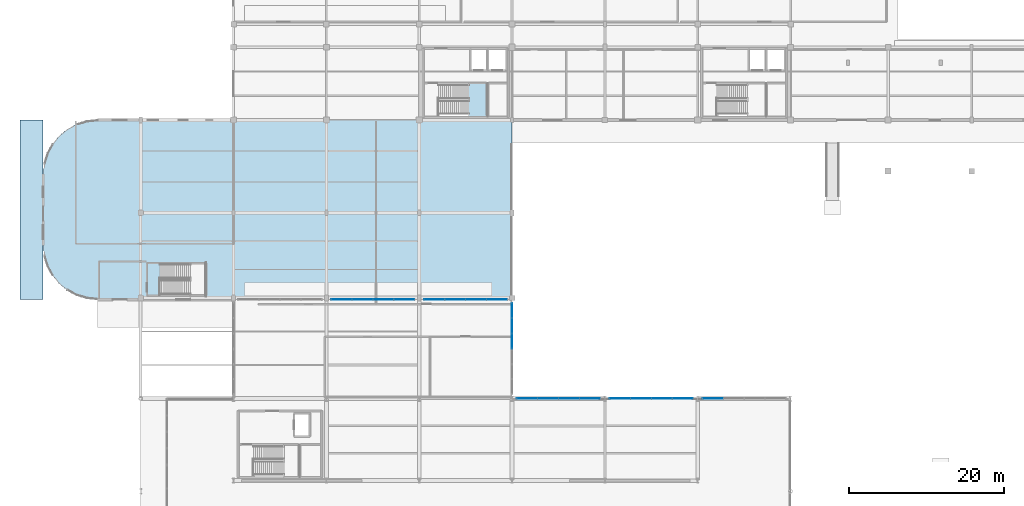
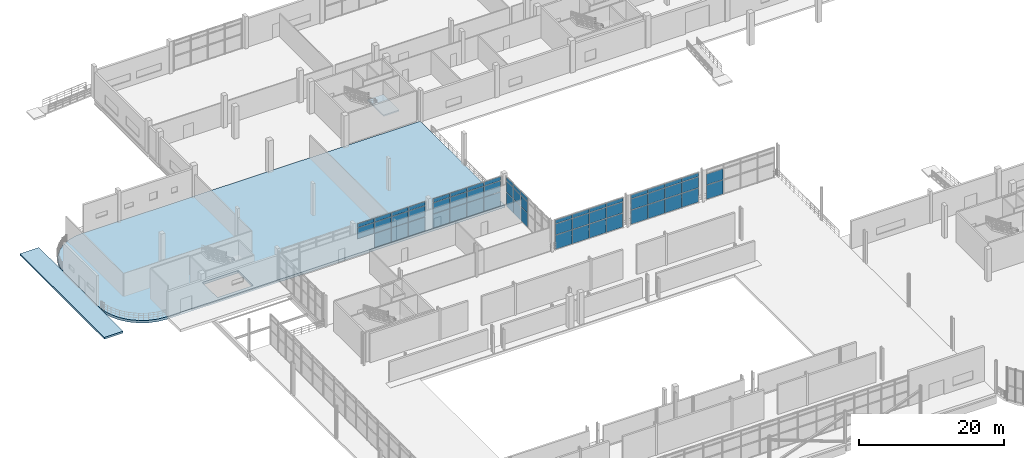
# One storey, part 50 of 85: 58 plates, 3 slabs, 7 elements without a shape of their own.
"""IFC4 building model written with IfcOpenShell, lengths in metres."""

from ifc_helpers import new_model, si_unit, direction, frame, origin, origin_2d, place, context, subcontext, project, spatial, polyline, rectangle, outline, extrude, material, layer, layer_set, type_object, element, aggregate, save


model = new_model("IFC4")

# Units and contexts
model_context = context("Model", 3, precision=1e-05, world=origin(), true_north=direction((0.0, 1.0)))
body_context = subcontext(model_context, "Body", "Model", "MODEL_VIEW")
ifc_project = project(units=[si_unit("LENGTHUNIT", "METRE"), si_unit("AREAUNIT", "SQUARE_METRE"), si_unit("VOLUMEUNIT", "CUBIC_METRE"), si_unit("PLANEANGLEUNIT", "RADIAN"), si_unit("MASSUNIT", "GRAM", prefix="KILO"), si_unit("THERMODYNAMICTEMPERATUREUNIT", "KELVIN"), si_unit("POWERUNIT", "WATT")], contexts=[model_context])

# Site, building, storey
site_placement = place(None, origin())
site = spatial("IfcSite", under=ifc_project, at=site_placement, CompositionType="ELEMENT")
building_placement = place(site_placement, origin())
building = spatial("IfcBuilding", under=site, at=building_placement, Name="Solmara Park Aquatics Centre", CompositionType="ELEMENT")
storey_placement = place(building_placement, origin())
storey = spatial("IfcBuildingStorey", under=building, at=storey_placement, Name="L00", CompositionType="ELEMENT", Elevation=0.0)

# Curtain wall, plates
ifc_material_1 = material(Name="Anodised Aluminium Curtain Wall Framing", Category="aluminium")
curtain_wall_type = type_object("IfcCurtainWallType", Name="ARC-CW-SYS02", PredefinedType="USERDEFINED", material=ifc_material_1)
curtain_wall_1_placement = place(storey_placement, origin())
curtain_wall_1 = element("IfcCurtainWall", 1, at=curtain_wall_1_placement, inside=storey, type_object=curtain_wall_type, Name="Curtain Wall CW-100", ObjectType="CURTAIN WALL", PredefinedType="USERDEFINED")
ifc_material_2 = material(Name="Double Low-E Solar-Control Glazing", Category="glass")
ifc_layer_1 = layer(ifc_material_2, 0.035888671875, Name="Double Low-E Solar-Control Glazing")
ifc_layer_set_1 = layer_set([ifc_layer_1], Name="Double Low-E Solar-Control Glazing")
plate_type_1 = type_object("IfcPlateType", Name="ARC-CWP-GLZ36-1900x1800", PredefinedType="CURTAIN_PANEL", material=ifc_layer_set_1)
plate_1_placement = place(storey_placement, frame((60.60009765625, 80.013427734375, 2.48974609375), z_axis=(0.0, 0.0, 1.0), x_axis=(0.0, 1.0, 0.0)))
plate_1 = element("IfcPlate", 2, at=plate_1_placement, type_object=plate_type_1, Name="CW-100 panel 2", PredefinedType="CURTAIN_PANEL", context=body_context, shape_type="SweptSolid", body=[
    extrude(rectangle(XDim=1.90673828125, YDim=0.035888671875, at=origin_2d()), origin(), (0.0, 0.0, 1.0), 1.800048828125),
])
plate_2_placement = place(storey_placement, frame((60.60009765625, 82.0, 2.48974609375), z_axis=(0.0, 0.0, 1.0), x_axis=(0.0, 1.0, 0.0)))
plate_2 = element("IfcPlate", 3, at=plate_2_placement, type_object=plate_type_1, Name="CW-100 panel 5", PredefinedType="CURTAIN_PANEL", context=body_context, shape_type="SweptSolid", body=[
    extrude(rectangle(XDim=1.906494140625, YDim=0.035888671875, at=origin_2d()), origin(), (0.0, 0.0, 1.0), 1.800048828125),
])
plate_3_placement = place(storey_placement, frame((60.60009765625, 83.986572265625, 2.48974609375), z_axis=(0.0, 0.0, 1.0), x_axis=(0.0, 1.0, 0.0)))
plate_3 = element("IfcPlate", 4, at=plate_3_placement, type_object=plate_type_1, Name="CW-100 panel 8", PredefinedType="CURTAIN_PANEL", context=body_context, shape_type="SweptSolid", body=[
    extrude(rectangle(XDim=1.90673828125, YDim=0.035888671875, at=origin_2d()), origin(), (0.0, 0.0, 1.0), 1.800048828125),
])
ifc_layer_2 = layer(ifc_material_2, 0.035888671875, Name="Double Low-E Solar-Control Glazing")
ifc_layer_set_2 = layer_set([ifc_layer_2], Name="Double Low-E Solar-Control Glazing")
plate_type_2 = type_object("IfcPlateType", Name="ARC-CWP-GLZ36-1900x2320", PredefinedType="CURTAIN_PANEL", material=ifc_layer_set_2)
plate_4_placement = place(storey_placement, frame((60.60009765625, 80.013427734375, 0.080078125), z_axis=(0.0, 0.0, 1.0), x_axis=(0.0, 1.0, 0.0)))
plate_4 = element("IfcPlate", 5, at=plate_4_placement, type_object=plate_type_2, Name="CW-100 panel 1", PredefinedType="CURTAIN_PANEL", context=body_context, shape_type="SweptSolid", body=[
    extrude(rectangle(XDim=1.90673828125, YDim=0.035888671875, at=origin_2d()), origin(), (0.0, 0.0, 1.0), 2.330078125),
])
plate_5_placement = place(storey_placement, frame((60.60009765625, 82.0, 0.080078125), z_axis=(0.0, 0.0, 1.0), x_axis=(0.0, 1.0, 0.0)))
plate_5 = element("IfcPlate", 6, at=plate_5_placement, type_object=plate_type_2, Name="CW-100 panel 4", PredefinedType="CURTAIN_PANEL", context=body_context, shape_type="SweptSolid", body=[
    extrude(rectangle(XDim=1.906494140625, YDim=0.035888671875, at=origin_2d()), origin(), (0.0, 0.0, 1.0), 2.330078125),
])
plate_6_placement = place(storey_placement, frame((60.60009765625, 83.986572265625, 0.080078125), z_axis=(0.0, 0.0, 1.0), x_axis=(0.0, 1.0, 0.0)))
plate_6 = element("IfcPlate", 7, at=plate_6_placement, type_object=plate_type_2, Name="CW-100 panel 7", PredefinedType="CURTAIN_PANEL", context=body_context, shape_type="SweptSolid", body=[
    extrude(rectangle(XDim=1.90673828125, YDim=0.035888671875, at=origin_2d()), origin(), (0.0, 0.0, 1.0), 2.330078125),
])

curtain_wall_2_placement = place(storey_placement, origin())
curtain_wall_2 = element("IfcCurtainWall", 8, at=curtain_wall_2_placement, inside=storey, type_object=curtain_wall_type, Name="Curtain Wall CW-021", ObjectType="CURTAIN WALL", PredefinedType="USERDEFINED")
ifc_layer_3 = layer(ifc_material_2, 0.035888671875, Name="Double Low-E Solar-Control Glazing")
ifc_layer_set_3 = layer_set([ifc_layer_3], Name="Double Low-E Solar-Control Glazing")
plate_type_3 = type_object("IfcPlateType", Name="ARC-CWP-GLZ36-2620x1800", PredefinedType="CURTAIN_PANEL", material=ifc_layer_set_3)
plate_7_placement = place(storey_placement, frame((62.530029296875, 72.60009765625, 2.48974609375), z_axis=(0.0, 0.0, 1.0), x_axis=(1.0, 0.0, 0.0)))
plate_7 = element("IfcPlate", 9, at=plate_7_placement, type_object=plate_type_3, Name="CW-021 panel 2", PredefinedType="CURTAIN_PANEL", context=body_context, shape_type="SweptSolid", body=[
    extrude(rectangle(XDim=2.6201171875, YDim=0.035888671875, at=origin_2d()), origin(), (0.0, 0.0, 1.0), 1.800048828125),
])
plate_8_placement = place(storey_placement, frame((65.22998046875, 72.60009765625, 2.48974609375), z_axis=(0.0, 0.0, 1.0), x_axis=(1.0, 0.0, 0.0)))
plate_8 = element("IfcPlate", 10, at=plate_8_placement, type_object=plate_type_3, Name="CW-021 panel 5", PredefinedType="CURTAIN_PANEL", context=body_context, shape_type="SweptSolid", body=[
    extrude(rectangle(XDim=2.6201171875, YDim=0.035888671875, at=origin_2d()), origin(), (0.0, 0.0, 1.0), 1.800048828125),
])
plate_9_placement = place(storey_placement, frame((67.929931640625, 72.60009765625, 2.48974609375), z_axis=(0.0, 0.0, 1.0), x_axis=(1.0, 0.0, 0.0)))
plate_9 = element("IfcPlate", 11, at=plate_9_placement, type_object=plate_type_3, Name="CW-021 panel 8", PredefinedType="CURTAIN_PANEL", context=body_context, shape_type="SweptSolid", body=[
    extrude(rectangle(XDim=2.6201171875, YDim=0.035888671875, at=origin_2d()), origin(), (0.0, 0.0, 1.0), 1.800048828125),
])
plate_10_placement = place(storey_placement, frame((70.6298828125, 72.60009765625, 2.48974609375), z_axis=(0.0, 0.0, 1.0), x_axis=(1.0, 0.0, 0.0)))
plate_10 = element("IfcPlate", 12, at=plate_10_placement, type_object=plate_type_3, Name="CW-021 panel 11", PredefinedType="CURTAIN_PANEL", context=body_context, shape_type="SweptSolid", body=[
    extrude(rectangle(XDim=2.6201171875, YDim=0.035888671875, at=origin_2d()), origin(), (0.0, 0.0, 1.0), 1.800048828125),
])

curtain_wall_3_placement = place(storey_placement, origin())
curtain_wall_3 = element("IfcCurtainWall", 13, at=curtain_wall_3_placement, inside=storey, type_object=curtain_wall_type, Name="Curtain Wall CW-023", ObjectType="CURTAIN WALL", PredefinedType="USERDEFINED")
plate_11_placement = place(storey_placement, frame((74.530029296875, 72.60009765625, 2.48974609375), z_axis=(0.0, 0.0, 1.0), x_axis=(1.0, 0.0, 0.0)))
plate_11 = element("IfcPlate", 14, at=plate_11_placement, type_object=plate_type_3, Name="CW-023 panel 2", PredefinedType="CURTAIN_PANEL", context=body_context, shape_type="SweptSolid", body=[
    extrude(rectangle(XDim=2.6201171875, YDim=0.035888671875, at=origin_2d()), origin(), (0.0, 0.0, 1.0), 1.800048828125),
])
plate_12_placement = place(storey_placement, frame((77.22998046875, 72.60009765625, 2.48974609375), z_axis=(0.0, 0.0, 1.0), x_axis=(1.0, 0.0, 0.0)))
plate_12 = element("IfcPlate", 15, at=plate_12_placement, type_object=plate_type_3, Name="CW-023 panel 5", PredefinedType="CURTAIN_PANEL", context=body_context, shape_type="SweptSolid", body=[
    extrude(rectangle(XDim=2.6201171875, YDim=0.035888671875, at=origin_2d()), origin(), (0.0, 0.0, 1.0), 1.800048828125),
])
plate_13_placement = place(storey_placement, frame((79.929931640625, 72.60009765625, 2.48974609375), z_axis=(0.0, 0.0, 1.0), x_axis=(1.0, 0.0, 0.0)))
plate_13 = element("IfcPlate", 16, at=plate_13_placement, type_object=plate_type_3, Name="CW-023 panel 8", PredefinedType="CURTAIN_PANEL", context=body_context, shape_type="SweptSolid", body=[
    extrude(rectangle(XDim=2.6201171875, YDim=0.035888671875, at=origin_2d()), origin(), (0.0, 0.0, 1.0), 1.800048828125),
])
plate_14_placement = place(storey_placement, frame((82.6298828125, 72.60009765625, 2.48974609375), z_axis=(0.0, 0.0, 1.0), x_axis=(1.0, 0.0, 0.0)))
plate_14 = element("IfcPlate", 17, at=plate_14_placement, type_object=plate_type_3, Name="CW-023 panel 11", PredefinedType="CURTAIN_PANEL", context=body_context, shape_type="SweptSolid", body=[
    extrude(rectangle(XDim=2.6201171875, YDim=0.035888671875, at=origin_2d()), origin(), (0.0, 0.0, 1.0), 1.800048828125),
])

# Curtain wall, plate
curtain_wall_4_placement = place(storey_placement, origin())
curtain_wall_4 = element("IfcCurtainWall", 18, at=curtain_wall_4_placement, inside=storey, type_object=curtain_wall_type, Name="Curtain Wall CW-025", ObjectType="CURTAIN WALL", PredefinedType="USERDEFINED")
plate_15_placement = place(storey_placement, frame((86.530029296875, 72.60009765625, 2.48974609375), z_axis=(0.0, 0.0, 1.0), x_axis=(1.0, 0.0, 0.0)))
plate_15 = element("IfcPlate", 19, at=plate_15_placement, type_object=plate_type_3, Name="CW-025 panel 2", PredefinedType="CURTAIN_PANEL", context=body_context, shape_type="SweptSolid", body=[
    extrude(rectangle(XDim=2.6201171875, YDim=0.035888671875, at=origin_2d()), origin(), (0.0, 0.0, 1.0), 1.800048828125),
])

# Curtain wall, plates
curtain_wall_5_placement = place(storey_placement, origin())
curtain_wall_5 = element("IfcCurtainWall", 20, at=curtain_wall_5_placement, inside=storey, type_object=curtain_wall_type, Name="Curtain Wall CW-108", ObjectType="CURTAIN WALL", PredefinedType="USERDEFINED")
plate_16_placement = place(storey_placement, frame((38.530029296875, 85.39990234375, 2.48974609375), z_axis=(0.0, 0.0, 1.0), x_axis=(1.0, 0.0, 0.0)))
plate_16 = element("IfcPlate", 21, at=plate_16_placement, type_object=plate_type_3, Name="CW-108 panel 2", PredefinedType="CURTAIN_PANEL", context=body_context, shape_type="SweptSolid", body=[
    extrude(rectangle(XDim=2.6201171875, YDim=0.035888671875, at=origin_2d()), origin(), (0.0, 0.0, 1.0), 1.800048828125),
])
plate_17_placement = place(storey_placement, frame((41.22998046875, 85.39990234375, 2.48974609375), z_axis=(0.0, 0.0, 1.0), x_axis=(1.0, 0.0, 0.0)))
plate_17 = element("IfcPlate", 22, at=plate_17_placement, type_object=plate_type_3, Name="CW-108 panel 5", PredefinedType="CURTAIN_PANEL", context=body_context, shape_type="SweptSolid", body=[
    extrude(rectangle(XDim=2.6201171875, YDim=0.035888671875, at=origin_2d()), origin(), (0.0, 0.0, 1.0), 1.800048828125),
])
plate_18_placement = place(storey_placement, frame((43.929931640625, 85.39990234375, 2.48974609375), z_axis=(0.0, 0.0, 1.0), x_axis=(1.0, 0.0, 0.0)))
plate_18 = element("IfcPlate", 23, at=plate_18_placement, type_object=plate_type_3, Name="CW-108 panel 8", PredefinedType="CURTAIN_PANEL", context=body_context, shape_type="SweptSolid", body=[
    extrude(rectangle(XDim=2.6201171875, YDim=0.035888671875, at=origin_2d()), origin(), (0.0, 0.0, 1.0), 1.800048828125),
])
plate_19_placement = place(storey_placement, frame((46.6298828125, 85.39990234375, 2.48974609375), z_axis=(0.0, 0.0, 1.0), x_axis=(1.0, 0.0, 0.0)))
plate_19 = element("IfcPlate", 24, at=plate_19_placement, type_object=plate_type_3, Name="CW-108 panel 11", PredefinedType="CURTAIN_PANEL", context=body_context, shape_type="SweptSolid", body=[
    extrude(rectangle(XDim=2.6201171875, YDim=0.035888671875, at=origin_2d()), origin(), (0.0, 0.0, 1.0), 1.800048828125),
])

curtain_wall_6_placement = place(storey_placement, origin())
curtain_wall_6 = element("IfcCurtainWall", 25, at=curtain_wall_6_placement, inside=storey, type_object=curtain_wall_type, Name="Curtain Wall CW-109", ObjectType="CURTAIN WALL", PredefinedType="USERDEFINED")
plate_20_placement = place(storey_placement, frame((50.530029296875, 85.39990234375, 2.48974609375), z_axis=(0.0, 0.0, 1.0), x_axis=(1.0, 0.0, 0.0)))
plate_20 = element("IfcPlate", 26, at=plate_20_placement, type_object=plate_type_3, Name="CW-109 panel 2", PredefinedType="CURTAIN_PANEL", context=body_context, shape_type="SweptSolid", body=[
    extrude(rectangle(XDim=2.6201171875, YDim=0.035888671875, at=origin_2d()), origin(), (0.0, 0.0, 1.0), 1.800048828125),
])
plate_21_placement = place(storey_placement, frame((53.22998046875, 85.39990234375, 2.48974609375), z_axis=(0.0, 0.0, 1.0), x_axis=(1.0, 0.0, 0.0)))
plate_21 = element("IfcPlate", 27, at=plate_21_placement, type_object=plate_type_3, Name="CW-109 panel 5", PredefinedType="CURTAIN_PANEL", context=body_context, shape_type="SweptSolid", body=[
    extrude(rectangle(XDim=2.6201171875, YDim=0.035888671875, at=origin_2d()), origin(), (0.0, 0.0, 1.0), 1.800048828125),
])
plate_22_placement = place(storey_placement, frame((55.929931640625, 85.39990234375, 2.48974609375), z_axis=(0.0, 0.0, 1.0), x_axis=(1.0, 0.0, 0.0)))
plate_22 = element("IfcPlate", 28, at=plate_22_placement, type_object=plate_type_3, Name="CW-109 panel 8", PredefinedType="CURTAIN_PANEL", context=body_context, shape_type="SweptSolid", body=[
    extrude(rectangle(XDim=2.6201171875, YDim=0.035888671875, at=origin_2d()), origin(), (0.0, 0.0, 1.0), 1.800048828125),
])
plate_23_placement = place(storey_placement, frame((58.6298828125, 85.39990234375, 2.48974609375), z_axis=(0.0, 0.0, 1.0), x_axis=(1.0, 0.0, 0.0)))
plate_23 = element("IfcPlate", 29, at=plate_23_placement, type_object=plate_type_3, Name="CW-109 panel 11", PredefinedType="CURTAIN_PANEL", context=body_context, shape_type="SweptSolid", body=[
    extrude(rectangle(XDim=2.6201171875, YDim=0.035888671875, at=origin_2d()), origin(), (0.0, 0.0, 1.0), 1.800048828125),
])

# Plate
ifc_layer_4 = layer(ifc_material_2, 0.035888671875, Name="Double Low-E Solar-Control Glazing")
ifc_layer_set_4 = layer_set([ifc_layer_4], Name="Double Low-E Solar-Control Glazing")
plate_type_4 = type_object("IfcPlateType", Name="ARC-CWP-GLZ36-2620x2320", PredefinedType="CURTAIN_PANEL", material=ifc_layer_set_4)
plate_24_placement = place(storey_placement, frame((62.530029296875, 72.60009765625, 0.080078125), z_axis=(0.0, 0.0, 1.0), x_axis=(1.0, 0.0, 0.0)))
plate_24 = element("IfcPlate", 30, at=plate_24_placement, type_object=plate_type_4, Name="CW-021 panel 1", PredefinedType="CURTAIN_PANEL", context=body_context, shape_type="SweptSolid", body=[
    extrude(rectangle(XDim=2.6201171875, YDim=0.035888671875, at=origin_2d()), origin(), (0.0, 0.0, 1.0), 2.330078125),
])

plate_25_placement = place(storey_placement, frame((65.22998046875, 72.60009765625, 0.080078125), z_axis=(0.0, 0.0, 1.0), x_axis=(1.0, 0.0, 0.0)))
plate_25 = element("IfcPlate", 31, at=plate_25_placement, type_object=plate_type_4, Name="CW-021 panel 4", PredefinedType="CURTAIN_PANEL", context=body_context, shape_type="SweptSolid", body=[
    extrude(rectangle(XDim=2.6201171875, YDim=0.035888671875, at=origin_2d()), origin(), (0.0, 0.0, 1.0), 2.330078125),
])

plate_26_placement = place(storey_placement, frame((67.929931640625, 72.60009765625, 0.080078125), z_axis=(0.0, 0.0, 1.0), x_axis=(1.0, 0.0, 0.0)))
plate_26 = element("IfcPlate", 32, at=plate_26_placement, type_object=plate_type_4, Name="CW-021 panel 7", PredefinedType="CURTAIN_PANEL", context=body_context, shape_type="SweptSolid", body=[
    extrude(rectangle(XDim=2.6201171875, YDim=0.035888671875, at=origin_2d()), origin(), (0.0, 0.0, 1.0), 2.330078125),
])

plate_27_placement = place(storey_placement, frame((70.6298828125, 72.60009765625, 0.080078125), z_axis=(0.0, 0.0, 1.0), x_axis=(1.0, 0.0, 0.0)))
plate_27 = element("IfcPlate", 33, at=plate_27_placement, type_object=plate_type_4, Name="CW-021 panel 10", PredefinedType="CURTAIN_PANEL", context=body_context, shape_type="SweptSolid", body=[
    extrude(rectangle(XDim=2.6201171875, YDim=0.035888671875, at=origin_2d()), origin(), (0.0, 0.0, 1.0), 2.330078125),
])

plate_28_placement = place(storey_placement, frame((74.530029296875, 72.60009765625, 0.080078125), z_axis=(0.0, 0.0, 1.0), x_axis=(1.0, 0.0, 0.0)))
plate_28 = element("IfcPlate", 34, at=plate_28_placement, type_object=plate_type_4, Name="CW-023 panel 1", PredefinedType="CURTAIN_PANEL", context=body_context, shape_type="SweptSolid", body=[
    extrude(rectangle(XDim=2.6201171875, YDim=0.035888671875, at=origin_2d()), origin(), (0.0, 0.0, 1.0), 2.330078125),
])

plate_29_placement = place(storey_placement, frame((77.22998046875, 72.60009765625, 0.080078125), z_axis=(0.0, 0.0, 1.0), x_axis=(1.0, 0.0, 0.0)))
plate_29 = element("IfcPlate", 35, at=plate_29_placement, type_object=plate_type_4, Name="CW-023 panel 4", PredefinedType="CURTAIN_PANEL", context=body_context, shape_type="SweptSolid", body=[
    extrude(rectangle(XDim=2.6201171875, YDim=0.035888671875, at=origin_2d()), origin(), (0.0, 0.0, 1.0), 2.330078125),
])

plate_30_placement = place(storey_placement, frame((79.929931640625, 72.60009765625, 0.080078125), z_axis=(0.0, 0.0, 1.0), x_axis=(1.0, 0.0, 0.0)))
plate_30 = element("IfcPlate", 36, at=plate_30_placement, type_object=plate_type_4, Name="CW-023 panel 7", PredefinedType="CURTAIN_PANEL", context=body_context, shape_type="SweptSolid", body=[
    extrude(rectangle(XDim=2.6201171875, YDim=0.035888671875, at=origin_2d()), origin(), (0.0, 0.0, 1.0), 2.330078125),
])

plate_31_placement = place(storey_placement, frame((82.6298828125, 72.60009765625, 0.080078125), z_axis=(0.0, 0.0, 1.0), x_axis=(1.0, 0.0, 0.0)))
plate_31 = element("IfcPlate", 37, at=plate_31_placement, type_object=plate_type_4, Name="CW-023 panel 10", PredefinedType="CURTAIN_PANEL", context=body_context, shape_type="SweptSolid", body=[
    extrude(rectangle(XDim=2.6201171875, YDim=0.035888671875, at=origin_2d()), origin(), (0.0, 0.0, 1.0), 2.330078125),
])

plate_32_placement = place(storey_placement, frame((86.530029296875, 72.60009765625, 0.080078125), z_axis=(0.0, 0.0, 1.0), x_axis=(1.0, 0.0, 0.0)))
plate_32 = element("IfcPlate", 38, at=plate_32_placement, type_object=plate_type_4, Name="CW-025 panel 1", PredefinedType="CURTAIN_PANEL", context=body_context, shape_type="SweptSolid", body=[
    extrude(rectangle(XDim=2.6201171875, YDim=0.035888671875, at=origin_2d()), origin(), (0.0, 0.0, 1.0), 2.330078125),
])

aggregate(curtain_wall_4, [plate_32, plate_15])

plate_33_placement = place(storey_placement, frame((41.22998046875, 85.39990234375, 0.080078125), z_axis=(0.0, 0.0, 1.0), x_axis=(1.0, 0.0, 0.0)))
plate_33 = element("IfcPlate", 39, at=plate_33_placement, type_object=plate_type_4, Name="CW-108 panel 4", PredefinedType="CURTAIN_PANEL", context=body_context, shape_type="SweptSolid", body=[
    extrude(rectangle(XDim=2.6201171875, YDim=0.035888671875, at=origin_2d()), origin(), (0.0, 0.0, 1.0), 2.330078125),
])

plate_34_placement = place(storey_placement, frame((43.929931640625, 85.39990234375, 0.080078125), z_axis=(0.0, 0.0, 1.0), x_axis=(1.0, 0.0, 0.0)))
plate_34 = element("IfcPlate", 40, at=plate_34_placement, type_object=plate_type_4, Name="CW-108 panel 7", PredefinedType="CURTAIN_PANEL", context=body_context, shape_type="SweptSolid", body=[
    extrude(rectangle(XDim=2.6201171875, YDim=0.035888671875, at=origin_2d()), origin(), (0.0, 0.0, 1.0), 2.330078125),
])

plate_35_placement = place(storey_placement, frame((46.6298828125, 85.39990234375, 0.080078125), z_axis=(0.0, 0.0, 1.0), x_axis=(1.0, 0.0, 0.0)))
plate_35 = element("IfcPlate", 41, at=plate_35_placement, type_object=plate_type_4, Name="CW-108 panel 10", PredefinedType="CURTAIN_PANEL", context=body_context, shape_type="SweptSolid", body=[
    extrude(rectangle(XDim=2.6201171875, YDim=0.035888671875, at=origin_2d()), origin(), (0.0, 0.0, 1.0), 2.330078125),
])

plate_36_placement = place(storey_placement, frame((50.530029296875, 85.39990234375, 0.080078125), z_axis=(0.0, 0.0, 1.0), x_axis=(1.0, 0.0, 0.0)))
plate_36 = element("IfcPlate", 42, at=plate_36_placement, type_object=plate_type_4, Name="CW-109 panel 1", PredefinedType="CURTAIN_PANEL", context=body_context, shape_type="SweptSolid", body=[
    extrude(rectangle(XDim=2.6201171875, YDim=0.035888671875, at=origin_2d()), origin(), (0.0, 0.0, 1.0), 2.330078125),
])

plate_37_placement = place(storey_placement, frame((53.22998046875, 85.39990234375, 0.080078125), z_axis=(0.0, 0.0, 1.0), x_axis=(1.0, 0.0, 0.0)))
plate_37 = element("IfcPlate", 43, at=plate_37_placement, type_object=plate_type_4, Name="CW-109 panel 4", PredefinedType="CURTAIN_PANEL", context=body_context, shape_type="SweptSolid", body=[
    extrude(rectangle(XDim=2.6201171875, YDim=0.035888671875, at=origin_2d()), origin(), (0.0, 0.0, 1.0), 2.330078125),
])

plate_38_placement = place(storey_placement, frame((55.929931640625, 85.39990234375, 0.080078125), z_axis=(0.0, 0.0, 1.0), x_axis=(1.0, 0.0, 0.0)))
plate_38 = element("IfcPlate", 44, at=plate_38_placement, type_object=plate_type_4, Name="CW-109 panel 7", PredefinedType="CURTAIN_PANEL", context=body_context, shape_type="SweptSolid", body=[
    extrude(rectangle(XDim=2.6201171875, YDim=0.035888671875, at=origin_2d()), origin(), (0.0, 0.0, 1.0), 2.330078125),
])

plate_39_placement = place(storey_placement, frame((58.6298828125, 85.39990234375, 0.080078125), z_axis=(0.0, 0.0, 1.0), x_axis=(1.0, 0.0, 0.0)))
plate_39 = element("IfcPlate", 45, at=plate_39_placement, type_object=plate_type_4, Name="CW-109 panel 10", PredefinedType="CURTAIN_PANEL", context=body_context, shape_type="SweptSolid", body=[
    extrude(rectangle(XDim=2.6201171875, YDim=0.035888671875, at=origin_2d()), origin(), (0.0, 0.0, 1.0), 2.330078125),
])

ifc_material_3 = material(Name="Golden-Ochre Enamelled Aluminium Fascia Panel", Category="aluminium")
ifc_layer_5 = layer(ifc_material_3, 0.0400390625, Name="Golden-Ochre Enamelled Aluminium Fascia Panel")
ifc_layer_set_5 = layer_set([ifc_layer_5], Name="Golden-Ochre Enamelled Aluminium Fascia Panel")
plate_type_5 = type_object("IfcPlateType", Name="ARC-CWP-OCH40-1900x620", PredefinedType="CURTAIN_PANEL", material=ifc_layer_set_5)
plate_40_placement = place(storey_placement, frame((60.60009765625, 80.013427734375, 4.3701171875), z_axis=(0.0, 0.0, 1.0), x_axis=(0.0, 1.0, 0.0)))
plate_40 = element("IfcPlate", 46, at=plate_40_placement, type_object=plate_type_5, Name="CW-100 panel 3", PredefinedType="CURTAIN_PANEL", context=body_context, shape_type="SweptSolid", body=[
    extrude(rectangle(XDim=1.90673828125, YDim=0.0400390625, at=origin_2d()), origin(), (0.0, 0.0, 1.0), 0.6298828125),
])

plate_41_placement = place(storey_placement, frame((60.60009765625, 82.0, 4.3701171875), z_axis=(0.0, 0.0, 1.0), x_axis=(0.0, 1.0, 0.0)))
plate_41 = element("IfcPlate", 47, at=plate_41_placement, type_object=plate_type_5, Name="CW-100 panel 6", PredefinedType="CURTAIN_PANEL", context=body_context, shape_type="SweptSolid", body=[
    extrude(rectangle(XDim=1.906494140625, YDim=0.0400390625, at=origin_2d()), origin(), (0.0, 0.0, 1.0), 0.6298828125),
])

plate_42_placement = place(storey_placement, frame((60.60009765625, 83.986572265625, 4.3701171875), z_axis=(0.0, 0.0, 1.0), x_axis=(0.0, 1.0, 0.0)))
plate_42 = element("IfcPlate", 48, at=plate_42_placement, type_object=plate_type_5, Name="CW-100 panel 9", PredefinedType="CURTAIN_PANEL", context=body_context, shape_type="SweptSolid", body=[
    extrude(rectangle(XDim=1.90673828125, YDim=0.0400390625, at=origin_2d()), origin(), (0.0, 0.0, 1.0), 0.6298828125),
])

aggregate(curtain_wall_1, [plate_4, plate_1, plate_40, plate_5, plate_2, plate_41, plate_6, plate_3, plate_42])

ifc_layer_6 = layer(ifc_material_3, 0.0400390625, Name="Golden-Ochre Enamelled Aluminium Fascia Panel")
ifc_layer_set_6 = layer_set([ifc_layer_6], Name="Golden-Ochre Enamelled Aluminium Fascia Panel")
plate_type_6 = type_object("IfcPlateType", Name="ARC-CWP-OCH40-2620x620", PredefinedType="CURTAIN_PANEL", material=ifc_layer_set_6)
plate_43_placement = place(storey_placement, frame((38.530029296875, 85.39990234375, 4.3701171875), z_axis=(0.0, 0.0, 1.0), x_axis=(1.0, 0.0, 0.0)))
plate_43 = element("IfcPlate", 49, at=plate_43_placement, type_object=plate_type_6, Name="CW-108 panel 3", PredefinedType="CURTAIN_PANEL", context=body_context, shape_type="SweptSolid", body=[
    extrude(rectangle(XDim=2.6201171875, YDim=0.0400390625, at=origin_2d()), origin(), (0.0, 0.0, 1.0), 0.6298828125),
])

plate_44_placement = place(storey_placement, frame((41.22998046875, 85.39990234375, 4.3701171875), z_axis=(0.0, 0.0, 1.0), x_axis=(1.0, 0.0, 0.0)))
plate_44 = element("IfcPlate", 50, at=plate_44_placement, type_object=plate_type_6, Name="CW-108 panel 6", PredefinedType="CURTAIN_PANEL", context=body_context, shape_type="SweptSolid", body=[
    extrude(rectangle(XDim=2.6201171875, YDim=0.0400390625, at=origin_2d()), origin(), (0.0, 0.0, 1.0), 0.6298828125),
])

plate_45_placement = place(storey_placement, frame((43.929931640625, 85.39990234375, 4.3701171875), z_axis=(0.0, 0.0, 1.0), x_axis=(1.0, 0.0, 0.0)))
plate_45 = element("IfcPlate", 51, at=plate_45_placement, type_object=plate_type_6, Name="CW-108 panel 9", PredefinedType="CURTAIN_PANEL", context=body_context, shape_type="SweptSolid", body=[
    extrude(rectangle(XDim=2.6201171875, YDim=0.0400390625, at=origin_2d()), origin(), (0.0, 0.0, 1.0), 0.6298828125),
])

plate_46_placement = place(storey_placement, frame((46.6298828125, 85.39990234375, 4.3701171875), z_axis=(0.0, 0.0, 1.0), x_axis=(1.0, 0.0, 0.0)))
plate_46 = element("IfcPlate", 52, at=plate_46_placement, type_object=plate_type_6, Name="CW-108 panel 12", PredefinedType="CURTAIN_PANEL", context=body_context, shape_type="SweptSolid", body=[
    extrude(rectangle(XDim=2.6201171875, YDim=0.0400390625, at=origin_2d()), origin(), (0.0, 0.0, 1.0), 0.6298828125),
])

aggregate(curtain_wall_5, [plate_16, plate_43, plate_33, plate_17, plate_44, plate_34, plate_18, plate_45, plate_35, plate_19, plate_46])

ifc_material_4 = material(Name="Insulated Anodised Aluminium Spandrel Panel", Category="aluminium")
ifc_layer_7 = layer(ifc_material_4, 0.0439453125, Name="Insulated Anodised Aluminium Spandrel Panel")
ifc_layer_set_7 = layer_set([ifc_layer_7], Name="Insulated Anodised Aluminium Spandrel Panel")
plate_type_7 = type_object("IfcPlateType", Name="ARC-CWP-SPN44-2620x620", PredefinedType="CURTAIN_PANEL", material=ifc_layer_set_7)
plate_47_placement = place(storey_placement, frame((62.530029296875, 72.60009765625, 4.3701171875), z_axis=(0.0, 0.0, 1.0), x_axis=(1.0, 0.0, 0.0)))
plate_47 = element("IfcPlate", 53, at=plate_47_placement, type_object=plate_type_7, Name="CW-021 panel 3", PredefinedType="CURTAIN_PANEL", context=body_context, shape_type="SweptSolid", body=[
    extrude(rectangle(XDim=2.6201171875, YDim=0.0439453125, at=origin_2d()), origin(), (0.0, 0.0, 1.0), 0.6298828125),
])

plate_48_placement = place(storey_placement, frame((65.22998046875, 72.60009765625, 4.3701171875), z_axis=(0.0, 0.0, 1.0), x_axis=(1.0, 0.0, 0.0)))
plate_48 = element("IfcPlate", 54, at=plate_48_placement, type_object=plate_type_7, Name="CW-021 panel 6", PredefinedType="CURTAIN_PANEL", context=body_context, shape_type="SweptSolid", body=[
    extrude(rectangle(XDim=2.6201171875, YDim=0.0439453125, at=origin_2d()), origin(), (0.0, 0.0, 1.0), 0.6298828125),
])

plate_49_placement = place(storey_placement, frame((67.929931640625, 72.60009765625, 4.3701171875), z_axis=(0.0, 0.0, 1.0), x_axis=(1.0, 0.0, 0.0)))
plate_49 = element("IfcPlate", 55, at=plate_49_placement, type_object=plate_type_7, Name="CW-021 panel 9", PredefinedType="CURTAIN_PANEL", context=body_context, shape_type="SweptSolid", body=[
    extrude(rectangle(XDim=2.6201171875, YDim=0.0439453125, at=origin_2d()), origin(), (0.0, 0.0, 1.0), 0.6298828125),
])

plate_50_placement = place(storey_placement, frame((70.6298828125, 72.60009765625, 4.3701171875), z_axis=(0.0, 0.0, 1.0), x_axis=(1.0, 0.0, 0.0)))
plate_50 = element("IfcPlate", 56, at=plate_50_placement, type_object=plate_type_7, Name="CW-021 panel 12", PredefinedType="CURTAIN_PANEL", context=body_context, shape_type="SweptSolid", body=[
    extrude(rectangle(XDim=2.6201171875, YDim=0.0439453125, at=origin_2d()), origin(), (0.0, 0.0, 1.0), 0.6298828125),
])

aggregate(curtain_wall_2, [plate_24, plate_7, plate_47, plate_25, plate_8, plate_48, plate_26, plate_9, plate_49, plate_27, plate_10, plate_50])

plate_51_placement = place(storey_placement, frame((74.530029296875, 72.60009765625, 4.3701171875), z_axis=(0.0, 0.0, 1.0), x_axis=(1.0, 0.0, 0.0)))
plate_51 = element("IfcPlate", 57, at=plate_51_placement, type_object=plate_type_7, Name="CW-023 panel 3", PredefinedType="CURTAIN_PANEL", context=body_context, shape_type="SweptSolid", body=[
    extrude(rectangle(XDim=2.6201171875, YDim=0.0439453125, at=origin_2d()), origin(), (0.0, 0.0, 1.0), 0.6298828125),
])

plate_52_placement = place(storey_placement, frame((77.22998046875, 72.60009765625, 4.3701171875), z_axis=(0.0, 0.0, 1.0), x_axis=(1.0, 0.0, 0.0)))
plate_52 = element("IfcPlate", 58, at=plate_52_placement, type_object=plate_type_7, Name="CW-023 panel 6", PredefinedType="CURTAIN_PANEL", context=body_context, shape_type="SweptSolid", body=[
    extrude(rectangle(XDim=2.6201171875, YDim=0.0439453125, at=origin_2d()), origin(), (0.0, 0.0, 1.0), 0.6298828125),
])

plate_53_placement = place(storey_placement, frame((79.929931640625, 72.60009765625, 4.3701171875), z_axis=(0.0, 0.0, 1.0), x_axis=(1.0, 0.0, 0.0)))
plate_53 = element("IfcPlate", 59, at=plate_53_placement, type_object=plate_type_7, Name="CW-023 panel 9", PredefinedType="CURTAIN_PANEL", context=body_context, shape_type="SweptSolid", body=[
    extrude(rectangle(XDim=2.6201171875, YDim=0.0439453125, at=origin_2d()), origin(), (0.0, 0.0, 1.0), 0.6298828125),
])

plate_54_placement = place(storey_placement, frame((82.6298828125, 72.60009765625, 4.3701171875), z_axis=(0.0, 0.0, 1.0), x_axis=(1.0, 0.0, 0.0)))
plate_54 = element("IfcPlate", 60, at=plate_54_placement, type_object=plate_type_7, Name="CW-023 panel 12", PredefinedType="CURTAIN_PANEL", context=body_context, shape_type="SweptSolid", body=[
    extrude(rectangle(XDim=2.6201171875, YDim=0.0439453125, at=origin_2d()), origin(), (0.0, 0.0, 1.0), 0.6298828125),
])

aggregate(curtain_wall_3, [plate_28, plate_11, plate_51, plate_29, plate_12, plate_52, plate_30, plate_13, plate_53, plate_31, plate_14, plate_54])

plate_55_placement = place(storey_placement, frame((50.530029296875, 85.39990234375, 4.3701171875), z_axis=(0.0, 0.0, 1.0), x_axis=(1.0, 0.0, 0.0)))
plate_55 = element("IfcPlate", 61, at=plate_55_placement, type_object=plate_type_7, Name="CW-109 panel 3", PredefinedType="CURTAIN_PANEL", context=body_context, shape_type="SweptSolid", body=[
    extrude(rectangle(XDim=2.6201171875, YDim=0.0439453125, at=origin_2d()), origin(), (0.0, 0.0, 1.0), 0.6298828125),
])

plate_56_placement = place(storey_placement, frame((53.22998046875, 85.39990234375, 4.3701171875), z_axis=(0.0, 0.0, 1.0), x_axis=(1.0, 0.0, 0.0)))
plate_56 = element("IfcPlate", 62, at=plate_56_placement, type_object=plate_type_7, Name="CW-109 panel 6", PredefinedType="CURTAIN_PANEL", context=body_context, shape_type="SweptSolid", body=[
    extrude(rectangle(XDim=2.6201171875, YDim=0.0439453125, at=origin_2d()), origin(), (0.0, 0.0, 1.0), 0.6298828125),
])

plate_57_placement = place(storey_placement, frame((55.929931640625, 85.39990234375, 4.3701171875), z_axis=(0.0, 0.0, 1.0), x_axis=(1.0, 0.0, 0.0)))
plate_57 = element("IfcPlate", 63, at=plate_57_placement, type_object=plate_type_7, Name="CW-109 panel 9", PredefinedType="CURTAIN_PANEL", context=body_context, shape_type="SweptSolid", body=[
    extrude(rectangle(XDim=2.6201171875, YDim=0.0439453125, at=origin_2d()), origin(), (0.0, 0.0, 1.0), 0.6298828125),
])

plate_58_placement = place(storey_placement, frame((58.6298828125, 85.39990234375, 4.3701171875), z_axis=(0.0, 0.0, 1.0), x_axis=(1.0, 0.0, 0.0)))
plate_58 = element("IfcPlate", 64, at=plate_58_placement, type_object=plate_type_7, Name="CW-109 panel 12", PredefinedType="CURTAIN_PANEL", context=body_context, shape_type="SweptSolid", body=[
    extrude(rectangle(XDim=2.6201171875, YDim=0.0439453125, at=origin_2d()), origin(), (0.0, 0.0, 1.0), 0.6298828125),
])

aggregate(curtain_wall_6, [plate_36, plate_20, plate_55, plate_37, plate_21, plate_56, plate_38, plate_22, plate_57, plate_39, plate_23, plate_58])

# Stair, slab
ifc_material_5 = material(Name="Concrete C40/50", Category="concrete")
stair_type = type_object("IfcStairType", Name="ARC-ST-CORE", PredefinedType="HALF_TURN_STAIR", material=ifc_material_5)
stair_placement = place(storey_placement, origin())
stair = element("IfcStair", 65, at=stair_placement, inside=storey, type_object=stair_type, Name="ST-01 Protected Exit Stair (L00 to L01)", PredefinedType="HALF_TURN_STAIR")
ifc_layer_8 = layer(ifc_material_5, 0.219970703125, Name="Concrete C40/50")
ifc_layer_set_8 = layer_set([ifc_layer_8], Name="Concrete C40/50")
slab_type_1 = type_object("IfcSlabType", Name="ARC-SLB-LND220", PredefinedType="LANDING", material=ifc_layer_set_8)
slab_1_placement = place(storey_placement, frame((0.0, 0.0, 2.47998046875)))
slab_1 = element("IfcSlab", 66, at=slab_1_placement, type_object=slab_type_1, Name="ST-01 landing 1", PredefinedType="LANDING", context=body_context, shape_type="SweptSolid", body=[
    extrude(outline(polyline([(54.985107421875, 109.030029296875), (57.47998046875, 109.030029296875), (57.47998046875, 113.3701171875), (54.985107421875, 113.3701171875), (54.985107421875, 109.030029296875)])), origin(), (0.0, 0.0, 1.0), 0.219970703125),
])
aggregate(stair, [slab_1])

# Slabs
ifc_layer_9 = layer(ifc_material_5, 0.300048828125, Name="Concrete C40/50")
ifc_layer_set_9 = layer_set([ifc_layer_9], Name="Concrete C40/50")
slab_type_2 = type_object("IfcSlabType", Name="STR-SLB-CON300", PredefinedType="FLOOR", material=ifc_layer_set_9)
slab_2_placement = place(storey_placement, frame((0.0, 0.0, -0.300048828125)))
element("IfcSlab", 67, at=slab_2_placement, inside=storey, type_object=slab_type_2, Name="Exterior Entrance Apron SLB-L00-APR-W", PredefinedType="FLOOR", context=body_context, shape_type="SweptSolid", body=[
    extrude(outline(polyline([(-3.0, 85.39990234375), (0.0, 85.39990234375), (0.0, 108.60009765625), (-3.0, 108.60009765625), (-3.0, 85.39990234375)])), origin(), (0.0, 0.0, 1.0), 0.300048828125),
])
ifc_material_6 = material(Name="Watertight Concrete C45/55", Category="concrete")
ifc_layer_10 = layer(ifc_material_6, 0.419921875, Name="Watertight Concrete C45/55")
ifc_layer_set_10 = layer_set([ifc_layer_10], Name="Watertight Concrete C45/55")
slab_type_3 = type_object("IfcSlabType", Name="STR-SLB-DECK420", PredefinedType="FLOOR", material=ifc_layer_set_10)
slab_3_placement = place(storey_placement, frame((0.0, 0.0, -0.419921875)))
element("IfcSlab", 68, at=slab_3_placement, inside=storey, type_object=slab_type_3, Name="Changing Villages L00 Wet/Dry Deck Slab", PredefinedType="FLOOR", context=body_context, shape_type="SweptSolid", body=[
    extrude(outline(polyline([(0.0, 92.39990234375), (0.134521484375, 91.034423828125), (0.53271484375, 89.72119140625), (1.1796875, 88.510986328125), (2.05029296875, 87.4501953125), (3.111083984375, 86.57958984375), (4.3212890625, 85.932861328125), (5.634521484375, 85.534423828125), (7.0, 85.39990234375), (60.60009765625, 85.39990234375), (60.60009765625, 108.60009765625), (7.0, 108.60009765625), (5.634521484375, 108.465576171875), (4.3212890625, 108.067138671875), (3.111083984375, 107.42041015625), (2.05029296875, 106.5498046875), (1.1796875, 105.489013671875), (0.53271484375, 104.27880859375), (0.134521484375, 102.965576171875), (0.0, 101.60009765625), (0.0, 92.39990234375)]), holes=[polyline([(15.280029296875, 85.93994140625), (20.9599609375, 85.93994140625), (20.9599609375, 90.10009765625), (15.280029296875, 90.10009765625), (15.280029296875, 85.93994140625)])]), origin(), (0.0, 0.0, 1.0), 0.419921875),
])

save(model, "model.ifc")
